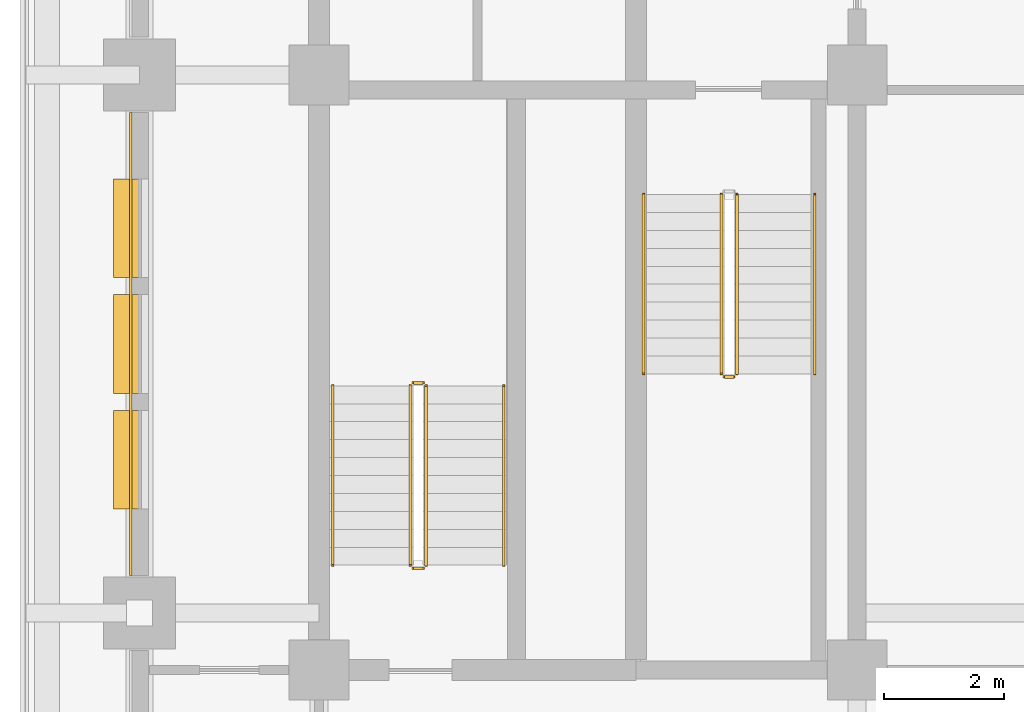
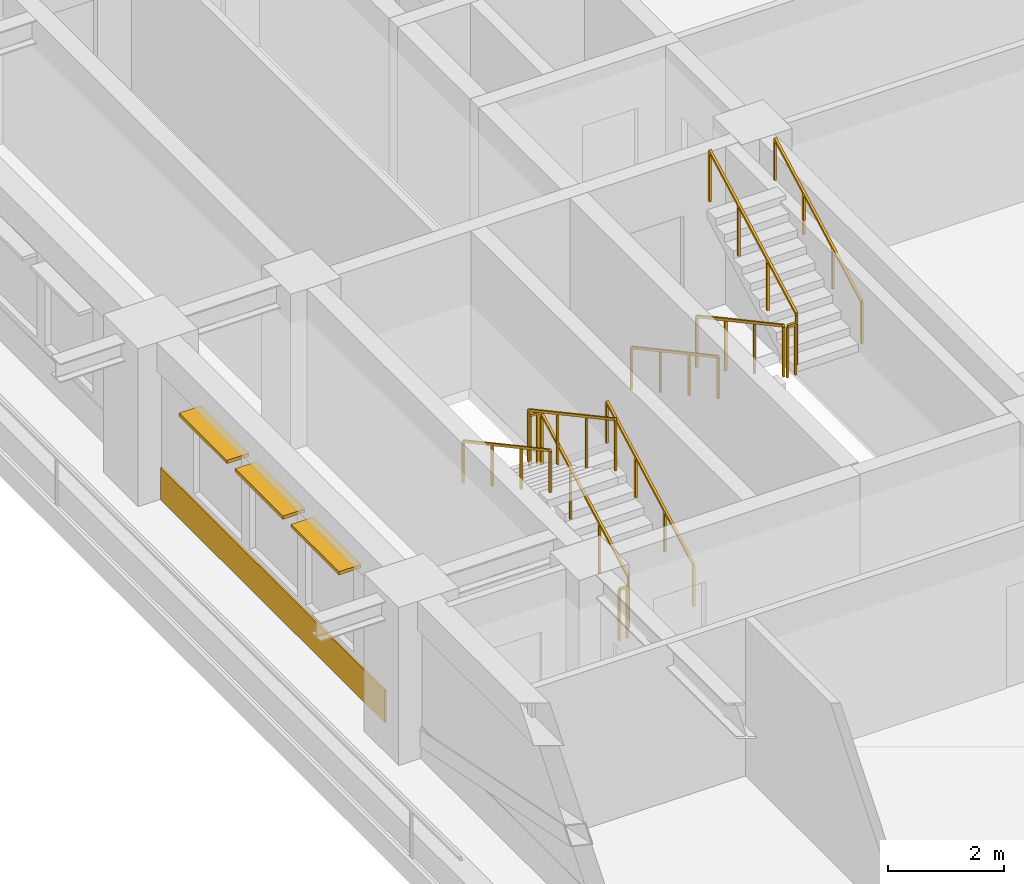
# One storey, part 9 of 13: 11 railings, 3 shading devices, 1 covering.
"""IFC4 building model written with IfcOpenShell, lengths in metres."""

from ifc_helpers import new_model, si_unit, direction, frame, frame_2d, origin, origin_2d, place, context, subcontext, project, spatial, rectangle, extrude, material, layer, layer_set, type_object, element, save


model = new_model("IFC4")

# Units and contexts
model_context = context("Model", 3, precision=1e-05, world=origin(), true_north=direction((0.0, 1.0)))
body_context = subcontext(model_context, "Body", "Model", "MODEL_VIEW")
ifc_project = project(units=[si_unit("LENGTHUNIT", "METRE"), si_unit("AREAUNIT", "SQUARE_METRE"), si_unit("VOLUMEUNIT", "CUBIC_METRE"), si_unit("PLANEANGLEUNIT", "RADIAN"), si_unit("MASSUNIT", "GRAM", prefix="KILO")], contexts=[model_context])

# Site, building, storey
site_placement = place(None, origin())
site = spatial("IfcSite", under=ifc_project, at=site_placement, CompositionType="ELEMENT")
building_placement = place(site_placement, origin())
building = spatial("IfcBuilding", under=site, at=building_placement, Name="Zulmaris Gate Convention Tower", CompositionType="ELEMENT")
storey_placement = place(building_placement, frame((0.0, 0.0, 109.2099609375)))
storey = spatial("IfcBuildingStorey", under=building, at=storey_placement, Name="L27", CompositionType="ELEMENT", Elevation=109.2099609375)

# Covering
ifc_material_1 = material(Name="Precast concrete C40/50", Category="concrete")
ifc_layer_1 = layer(ifc_material_1, 0.0400390625, Name="Precast concrete C40/50")
ifc_layer_set_1 = layer_set([ifc_layer_1], Name="Precast concrete C40/50")
covering_type = type_object("IfcCoveringType", Name="CLAD-SPANDREL-PRECAST", PredefinedType="CLADDING", material=ifc_layer_set_1)
covering_placement = place(storey_placement, frame((-23.14990234375, -0.6298828125, 0.0), z_axis=(0.0, 0.0, 1.0), x_axis=(0.0, -1.0, 0.0)))
element("IfcCovering", 1, at=covering_placement, inside=storey, type_object=covering_type, Name="CLD-L27-W-1_0", PredefinedType="CLADDING", context=body_context, shape_type="SweptSolid", body=[
    extrude(rectangle(XDim=7.740234375, YDim=0.0400390625, at=frame_2d((3.8701171875, 0.0))), origin(), (0.0, 0.0, 1.0), 0.679931640625),
])

# Railings
ifc_material_2 = material(Name="Painted Galvanised Steel", Category="steel")
railing_type_1 = type_object("IfcRailingType", Name="RL-STG-1150", PredefinedType="GUARDRAIL", material=ifc_material_2)
railing_1_placement = place(storey_placement, frame((-13.27001953125, -2.0, 0.162353515625)))
element("IfcRailing", 2, at=railing_1_placement, inside=storey, type_object=railing_type_1, Name="L27 ST-1 stair guard 1", PredefinedType="GUARDRAIL", context=body_context, shape_type="SweptSolid", body=[
    extrude(rectangle(XDim=0.048095703125, YDim=0.048095703125, at=origin_2d()), frame((0.0, 0.0, 1.076171875), z_axis=(0.0, -0.8795616155, 0.475784998228), x_axis=(1.0, 0.0, 0.0)), (0.0, 0.0, 1.0), 3.410888671875),
    extrude(rectangle(XDim=0.0419921875, YDim=0.0419921875, at=origin_2d()), origin(), (0.0, 0.0, 1.0), 1.052001953125),
    extrude(rectangle(XDim=0.0419921875, YDim=0.0419921875, at=origin_2d()), frame((0.0, -1.0, 0.541015625)), (0.0, 0.0, 1.0), 1.052001953125),
    extrude(rectangle(XDim=0.0419921875, YDim=0.0419921875, at=origin_2d()), frame((0.0, -2.0, 1.081787109375)), (0.0, 0.0, 1.0), 1.052001953125),
    extrude(rectangle(XDim=0.0419921875, YDim=0.0419921875, at=origin_2d()), frame((0.0, -3.0, 1.622802734375)), (0.0, 0.0, 1.0), 1.052001953125),
])
railing_2_placement = place(storey_placement, frame((-13.219970703125, -5.050048828125, 1.78515625)))
element("IfcRailing", 3, at=railing_2_placement, inside=storey, type_object=railing_type_1, Name="L27 ST-1 stair guard 2", PredefinedType="GUARDRAIL", context=body_context, shape_type="SweptSolid", body=[
    extrude(rectangle(XDim=0.048095703125, YDim=0.048095703125, at=origin_2d()), frame((0.0, 0.0, 1.076171875), z_axis=(1.0, 0.0, 0.0), x_axis=(0.0, 1.0, 0.0)), (0.0, 0.0, 1.0), 0.159912109375),
    extrude(rectangle(XDim=0.0419921875, YDim=0.0419921875, at=origin_2d()), origin(), (0.0, 0.0, 1.0), 1.052001953125),
    extrude(rectangle(XDim=0.0419921875, YDim=0.0419921875, at=origin_2d()), frame((0.159912109375, 0.0, 0.0)), (0.0, 0.0, 1.0), 1.052001953125),
])
for number, where, name in (
    (4, (-13.010009765625, -5.0, 1.947265625), "L27 ST-1 stair guard 3"),
    (5, (-18.2099609375, -8.199951171875, 0.162353515625), "L27 ST-3 stair guard 1"),
):
    element("IfcRailing", number, at=place(storey_placement, frame(where)), inside=storey, type_object=railing_type_1, Name=name, PredefinedType="GUARDRAIL", context=body_context, shape_type="SweptSolid", body=[
        extrude(rectangle(XDim=0.048095703125, YDim=0.048095703125, at=origin_2d()), frame((0.0, 0.0, 1.076171875), z_axis=(0.0, 0.8795616155, 0.475784998228), x_axis=(-1.0, 0.0, 0.0)), (0.0, 0.0, 1.0), 3.410888671875),
        extrude(rectangle(XDim=0.0419921875, YDim=0.0419921875, at=origin_2d()), origin(), (0.0, 0.0, 1.0), 1.052001953125),
        extrude(rectangle(XDim=0.0419921875, YDim=0.0419921875, at=origin_2d()), frame((0.0, 1.0, 0.541015625)), (0.0, 0.0, 1.0), 1.052001953125),
        extrude(rectangle(XDim=0.0419921875, YDim=0.0419921875, at=origin_2d()), frame((0.0, 2.0, 1.081787109375)), (0.0, 0.0, 1.0), 1.052001953125),
        extrude(rectangle(XDim=0.0419921875, YDim=0.0419921875, at=origin_2d()), frame((0.0, 3.0, 1.622802734375)), (0.0, 0.0, 1.0), 1.052001953125),
    ])
railing_3_placement = place(storey_placement, frame((-18.260009765625, -5.14990234375, 1.78515625)))
element("IfcRailing", 6, at=railing_3_placement, inside=storey, type_object=railing_type_1, Name="L27 ST-3 stair guard 2", PredefinedType="GUARDRAIL", context=body_context, shape_type="SweptSolid", body=[
    extrude(rectangle(XDim=0.048095703125, YDim=0.048095703125, at=origin_2d()), frame((0.0, 0.0, 1.076171875), z_axis=(-1.0, 0.0, 0.0), x_axis=(0.0, -1.0, 0.0)), (0.0, 0.0, 1.0), 0.159912109375),
    extrude(rectangle(XDim=0.0419921875, YDim=0.0419921875, at=origin_2d()), origin(), (0.0, 0.0, 1.0), 1.052001953125),
    extrude(rectangle(XDim=0.0419921875, YDim=0.0419921875, at=origin_2d()), frame((-0.159912109375, 0.0, 0.0)), (0.0, 0.0, 1.0), 1.052001953125),
])
railing_4_placement = place(storey_placement, frame((-18.469970703125, -5.199951171875, 1.947265625)))
element("IfcRailing", 7, at=railing_4_placement, inside=storey, type_object=railing_type_1, Name="L27 ST-3 stair guard 3", PredefinedType="GUARDRAIL", context=body_context, shape_type="SweptSolid", body=[
    extrude(rectangle(XDim=0.048095703125, YDim=0.048095703125, at=origin_2d()), frame((0.0, 0.0, 1.076171875), z_axis=(0.0, -0.8795616155, 0.475784998228), x_axis=(1.0, 0.0, 0.0)), (0.0, 0.0, 1.0), 3.410888671875),
    extrude(rectangle(XDim=0.0419921875, YDim=0.0419921875, at=origin_2d()), origin(), (0.0, 0.0, 1.0), 1.052001953125),
    extrude(rectangle(XDim=0.0419921875, YDim=0.0419921875, at=origin_2d()), frame((0.0, -1.0, 0.541015625)), (0.0, 0.0, 1.0), 1.052001953125),
    extrude(rectangle(XDim=0.0419921875, YDim=0.0419921875, at=origin_2d()), frame((0.0, -2.0, 1.081787109375)), (0.0, 0.0, 1.0), 1.052001953125),
    extrude(rectangle(XDim=0.0419921875, YDim=0.0419921875, at=origin_2d()), frame((0.0, -3.0, 1.622802734375)), (0.0, 0.0, 1.0), 1.052001953125),
])
railing_5_placement = place(storey_placement, frame((-18.260009765625, -8.25, 0.0)))
element("IfcRailing", 8, at=railing_5_placement, inside=storey, type_object=railing_type_1, Name="L27 ST-3 stair guard 4", PredefinedType="GUARDRAIL", context=body_context, shape_type="SweptSolid", body=[
    extrude(rectangle(XDim=0.048095703125, YDim=0.048095703125, at=origin_2d()), frame((0.0, 0.0, 1.076171875), z_axis=(-1.0, 0.0, 0.0), x_axis=(0.0, -1.0, 0.0)), (0.0, 0.0, 1.0), 0.159912109375),
    extrude(rectangle(XDim=0.0419921875, YDim=0.0419921875, at=origin_2d()), origin(), (0.0, 0.0, 1.0), 1.052001953125),
    extrude(rectangle(XDim=0.0419921875, YDim=0.0419921875, at=origin_2d()), frame((-0.159912109375, 0.0, 0.0)), (0.0, 0.0, 1.0), 1.052001953125),
])
ifc_material_3 = material(Name="Brushed Stainless Steel", Category="steel")
railing_type_2 = type_object("IfcRailingType", Name="RL-STH-900", PredefinedType="HANDRAIL", material=ifc_material_3)
railing_6_placement = place(storey_placement, frame((-14.570068359375, -2.0, 0.162353515625)))
element("IfcRailing", 9, at=railing_6_placement, inside=storey, type_object=railing_type_2, Name="L27 ST-1 stair handrail 1", PredefinedType="HANDRAIL", context=body_context, shape_type="SweptSolid", body=[
    extrude(rectangle(XDim=0.048095703125, YDim=0.048095703125, at=origin_2d()), frame((0.0, 0.0, 0.8759765625), z_axis=(0.0, -0.8795616155, 0.475784998228), x_axis=(1.0, 0.0, 0.0)), (0.0, 0.0, 1.0), 3.410888671875),
    extrude(rectangle(XDim=0.0419921875, YDim=0.0419921875, at=origin_2d()), origin(), (0.0, 0.0, 1.0), 0.851806640625),
    extrude(rectangle(XDim=0.0419921875, YDim=0.0419921875, at=origin_2d()), frame((0.0, -1.0, 0.541015625)), (0.0, 0.0, 1.0), 0.851806640625),
    extrude(rectangle(XDim=0.0419921875, YDim=0.0419921875, at=origin_2d()), frame((0.0, -2.0, 1.081787109375)), (0.0, 0.0, 1.0), 0.851806640625),
    extrude(rectangle(XDim=0.0419921875, YDim=0.0419921875, at=origin_2d()), frame((0.0, -3.0, 1.622802734375)), (0.0, 0.0, 1.0), 0.851806640625),
])
for number, where, name in (
    (10, (-11.7099609375, -5.0, 1.947265625), "L27 ST-1 stair handrail 2"),
    (11, (-16.909912109375, -8.199951171875, 0.162353515625), "L27 ST-3 stair handrail 1"),
):
    element("IfcRailing", number, at=place(storey_placement, frame(where)), inside=storey, type_object=railing_type_2, Name=name, PredefinedType="HANDRAIL", context=body_context, shape_type="SweptSolid", body=[
        extrude(rectangle(XDim=0.048095703125, YDim=0.048095703125, at=origin_2d()), frame((0.0, 0.0, 0.8759765625), z_axis=(0.0, 0.8795616155, 0.475784998228), x_axis=(-1.0, 0.0, 0.0)), (0.0, 0.0, 1.0), 3.410888671875),
        extrude(rectangle(XDim=0.0419921875, YDim=0.0419921875, at=origin_2d()), origin(), (0.0, 0.0, 1.0), 0.851806640625),
        extrude(rectangle(XDim=0.0419921875, YDim=0.0419921875, at=origin_2d()), frame((0.0, 1.0, 0.541015625)), (0.0, 0.0, 1.0), 0.851806640625),
        extrude(rectangle(XDim=0.0419921875, YDim=0.0419921875, at=origin_2d()), frame((0.0, 2.0, 1.081787109375)), (0.0, 0.0, 1.0), 0.851806640625),
        extrude(rectangle(XDim=0.0419921875, YDim=0.0419921875, at=origin_2d()), frame((0.0, 3.0, 1.622802734375)), (0.0, 0.0, 1.0), 0.851806640625),
    ])
railing_7_placement = place(storey_placement, frame((-19.77001953125, -5.199951171875, 1.947265625)))
element("IfcRailing", 12, at=railing_7_placement, inside=storey, type_object=railing_type_2, Name="L27 ST-3 stair handrail 2", PredefinedType="HANDRAIL", context=body_context, shape_type="SweptSolid", body=[
    extrude(rectangle(XDim=0.048095703125, YDim=0.048095703125, at=origin_2d()), frame((0.0, 0.0, 0.8759765625), z_axis=(0.0, -0.8795616155, 0.475784998228), x_axis=(1.0, 0.0, 0.0)), (0.0, 0.0, 1.0), 3.410888671875),
    extrude(rectangle(XDim=0.0419921875, YDim=0.0419921875, at=origin_2d()), origin(), (0.0, 0.0, 1.0), 0.851806640625),
    extrude(rectangle(XDim=0.0419921875, YDim=0.0419921875, at=origin_2d()), frame((0.0, -1.0, 0.541015625)), (0.0, 0.0, 1.0), 0.851806640625),
    extrude(rectangle(XDim=0.0419921875, YDim=0.0419921875, at=origin_2d()), frame((0.0, -2.0, 1.081787109375)), (0.0, 0.0, 1.0), 0.851806640625),
    extrude(rectangle(XDim=0.0419921875, YDim=0.0419921875, at=origin_2d()), frame((0.0, -3.0, 1.622802734375)), (0.0, 0.0, 1.0), 0.851806640625),
])

# Shading devices
ifc_material_4 = material(Name="Glazed Ceramic Terracotta", Category="masonry")
ifc_layer_2 = layer(ifc_material_4, 0.070068359375, Name="Glazed Ceramic Terracotta")
ifc_layer_set_2 = layer_set([ifc_layer_2], Name="Glazed Ceramic Terracotta")
shading_device_type = type_object("IfcShadingDeviceType", Name="SHD-SUNSHADE-TC", PredefinedType="AWNING", material=ifc_layer_set_2)
for number, where, z_axis, x_axis, name in (
    (13, (-23.219970703125, -1.739990234375, 2.530029296875), (0.0, 0.0, 1.0), (0.0, -1.0, 0.0), "SHD-EW-L27-W-1_0-1"),
    (14, (-23.219970703125, -3.675048828125, 2.530029296875), (0.0, 0.0, 1.0), (0.0, -1.0, 0.0), "SHD-EW-L27-W-1_0-2"),
    (15, (-23.219970703125, -5.610107421875, 2.530029296875), (0.0, 0.0, 1.0), (0.0, -1.0, 0.0), "SHD-EW-L27-W-1_0-3"),
):
    element("IfcShadingDevice", number, at=place(storey_placement, frame(where, z_axis=z_axis, x_axis=x_axis)), inside=storey, type_object=shading_device_type, Name=name, PredefinedType="AWNING", context=body_context, shape_type="SweptSolid", body=[
        extrude(rectangle(XDim=1.64990234375, YDim=0.43994140625, at=frame_2d((0.824951171875, 0.0))), origin(), (0.0, 0.0, 1.0), 0.070068359375),
    ])

save(model, "model.ifc")
